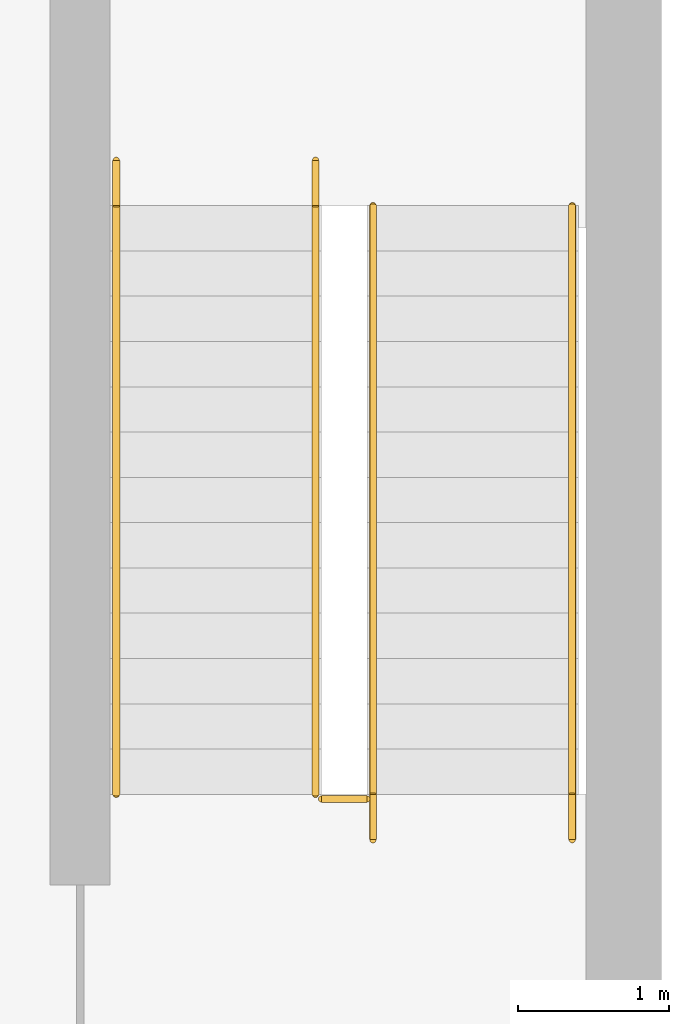
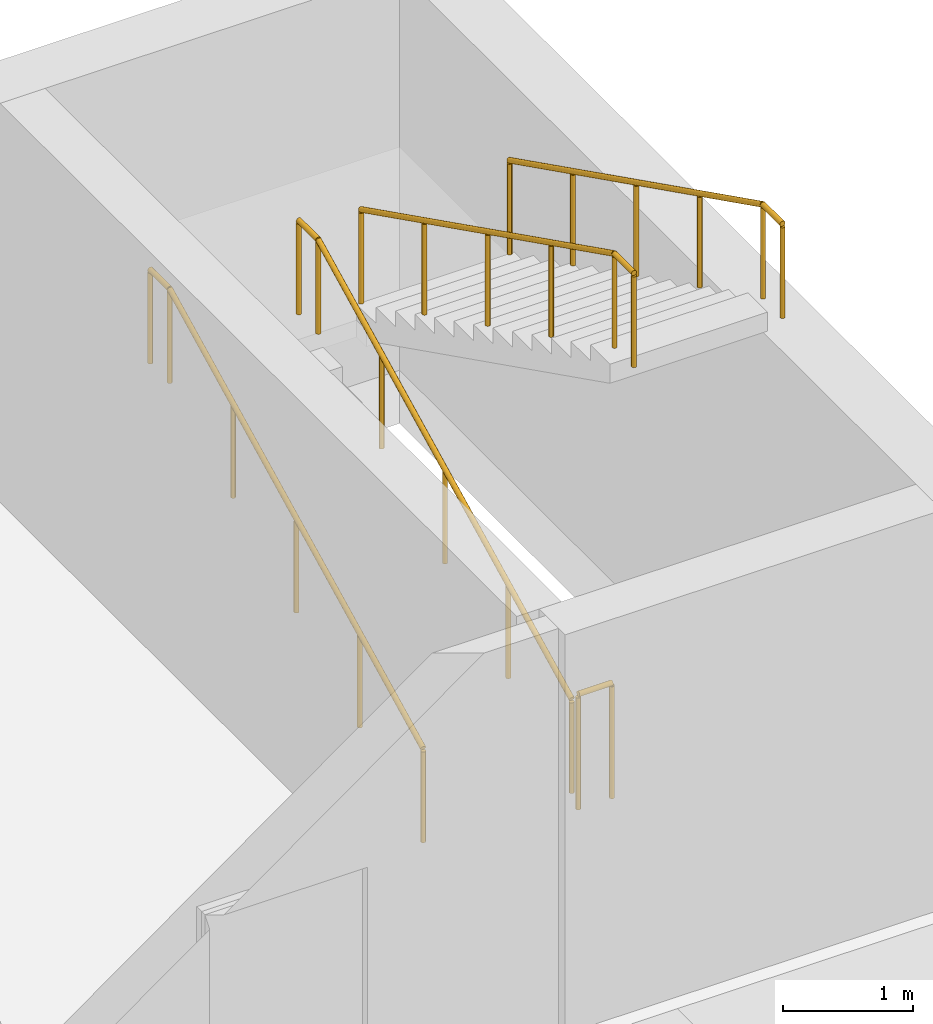
# One storey, part 11 of 14: 5 railings.
"""IFC4 building model written with IfcOpenShell, lengths in metres."""

from ifc_helpers import new_model, si_unit, direction, frame, origin, origin_2d, place, context, subcontext, project, spatial, circle, extrude, material, type_object, element, save


model = new_model("IFC4")

# Units and contexts
model_context = context("Model", 3, precision=1e-05, world=origin(), true_north=direction((0.0, 1.0)))
body_context = subcontext(model_context, "Body", "Model", "MODEL_VIEW")
ifc_project = project(units=[si_unit("LENGTHUNIT", "METRE"), si_unit("AREAUNIT", "SQUARE_METRE"), si_unit("VOLUMEUNIT", "CUBIC_METRE"), si_unit("PLANEANGLEUNIT", "RADIAN"), si_unit("MASSUNIT", "GRAM", prefix="KILO")], contexts=[model_context])

# Site, building, storey
site_placement = place(None, origin())
site = spatial("IfcSite", under=ifc_project, at=site_placement, CompositionType="ELEMENT")
building_placement = place(site_placement, origin())
building = spatial("IfcBuilding", under=site, at=building_placement, Name="Yavir Park General Hospital", CompositionType="ELEMENT")
storey_placement = place(building_placement, frame((0.0, 0.0, -4.199951171875)))
storey = spatial("IfcBuildingStorey", under=building, at=storey_placement, Name="B1", CompositionType="ELEMENT", Elevation=-4.199951171875)

# Railings
ifc_material_1 = material(Name="Steel balustrade with infill rods", Category="steel")
railing_type_1 = type_object("IfcRailingType", Name="Stair guard, steel balustrade 1100 mm", PredefinedType="GUARDRAIL", material=ifc_material_1)
railing_placement = place(storey_placement, frame((166.0, 27.570068359375, 0.0)))
element("IfcRailing", 1, at=railing_placement, inside=storey, type_object=railing_type_1, Name="Stair well guard BS5 B1", PredefinedType="GUARDRAIL", context=body_context, shape_type="SweptSolid", body=[
    extrude(circle(Radius=0.02392578125, at=origin_2d()), frame((0.0, 0.0, 1.076171875), z_axis=(1.0, 0.0, 0.0), x_axis=(0.0, 1.0, 0.0)), (0.0, 0.0, 1.0), 0.300048828125),
    extrude(circle(Radius=0.02099609375, at=origin_2d()), origin(), (0.0, 0.0, 1.0), 1.052001953125),
    extrude(circle(Radius=0.02099609375, at=origin_2d()), frame((0.300048828125, 0.0, 0.0)), (0.0, 0.0, 1.0), 1.052001953125),
])
ifc_material_2 = material(Name="Stainless steel tube 48 mm", Category="steel")
railing_type_2 = type_object("IfcRailingType", Name="Stair handrail, steel tube, 900 mm above the nosings", PredefinedType="HANDRAIL", material=ifc_material_2)
for number, where, name in (
    (2, (164.639892578125, 27.60009765625, 0.14990234375), "Handrail BS5 B1 1"),
    (3, (165.9599609375, 27.60009765625, 0.14990234375), "Handrail BS5 B1 2"),
):
    element("IfcRailing", number, at=place(storey_placement, frame(where)), inside=storey, type_object=railing_type_2, Name=name, PredefinedType="HANDRAIL", context=body_context, shape_type="SweptSolid", body=[
        extrude(circle(Radius=0.02392578125, at=origin_2d()), frame((0.0, 0.0, 0.8759765625), z_axis=(0.0, 0.894427191, 0.4472135955), x_axis=(-1.0, 0.0, 0.0)), (0.0, 0.0, 1.0), 4.360107421875),
        extrude(circle(Radius=0.02392578125, at=origin_2d()), frame((0.0, 3.89990234375, 2.82568359375), z_axis=(0.0, 1.0, 0.0), x_axis=(-1.0, 0.0, 0.0)), (0.0, 0.0, 1.0), 0.300048828125),
        extrude(circle(Radius=0.02099609375, at=origin_2d()), origin(), (0.0, 0.0, 1.0), 0.851806640625),
        extrude(circle(Radius=0.02099609375, at=origin_2d()), frame((0.0, 0.97509765625, 0.487548828125)), (0.0, 0.0, 1.0), 0.851806640625),
        extrude(circle(Radius=0.02099609375, at=origin_2d()), frame((0.0, 1.949951171875, 0.97509765625)), (0.0, 0.0, 1.0), 0.851806640625),
        extrude(circle(Radius=0.02099609375, at=origin_2d()), frame((0.0, 2.9248046875, 1.46240234375)), (0.0, 0.0, 1.0), 0.851806640625),
        extrude(circle(Radius=0.02099609375, at=origin_2d()), frame((0.0, 3.89990234375, 1.949951171875)), (0.0, 0.0, 1.0), 0.851806640625),
        extrude(circle(Radius=0.02099609375, at=origin_2d()), frame((0.0, 4.199951171875, 1.949951171875)), (0.0, 0.0, 1.0), 0.851806640625),
    ])
for number, where, name in (
    (4, (167.659912109375, 31.5, 2.25), "Handrail BS5 B1 3"),
    (5, (166.340087890625, 31.5, 2.25), "Handrail BS5 B1 4"),
):
    element("IfcRailing", number, at=place(storey_placement, frame(where)), inside=storey, type_object=railing_type_2, Name=name, PredefinedType="HANDRAIL", context=body_context, shape_type="SweptSolid", body=[
        extrude(circle(Radius=0.02392578125, at=origin_2d()), frame((0.0, 0.0, 0.8759765625), z_axis=(0.0, -0.894427191, 0.4472135955), x_axis=(1.0, 0.0, 0.0)), (0.0, 0.0, 1.0), 4.360107421875),
        extrude(circle(Radius=0.02392578125, at=origin_2d()), frame((0.0, -3.89990234375, 2.82568359375), z_axis=(0.0, -1.0, 0.0), x_axis=(1.0, 0.0, 0.0)), (0.0, 0.0, 1.0), 0.300048828125),
        extrude(circle(Radius=0.02099609375, at=origin_2d()), origin(), (0.0, 0.0, 1.0), 0.851806640625),
        extrude(circle(Radius=0.02099609375, at=origin_2d()), frame((0.0, -0.97509765625, 0.487548828125)), (0.0, 0.0, 1.0), 0.851806640625),
        extrude(circle(Radius=0.02099609375, at=origin_2d()), frame((0.0, -1.949951171875, 0.97509765625)), (0.0, 0.0, 1.0), 0.851806640625),
        extrude(circle(Radius=0.02099609375, at=origin_2d()), frame((0.0, -2.9248046875, 1.46240234375)), (0.0, 0.0, 1.0), 0.851806640625),
        extrude(circle(Radius=0.02099609375, at=origin_2d()), frame((0.0, -3.89990234375, 1.949951171875)), (0.0, 0.0, 1.0), 0.851806640625),
        extrude(circle(Radius=0.02099609375, at=origin_2d()), frame((0.0, -4.199951171875, 1.949951171875)), (0.0, 0.0, 1.0), 0.851806640625),
    ])

save(model, "model.ifc")
